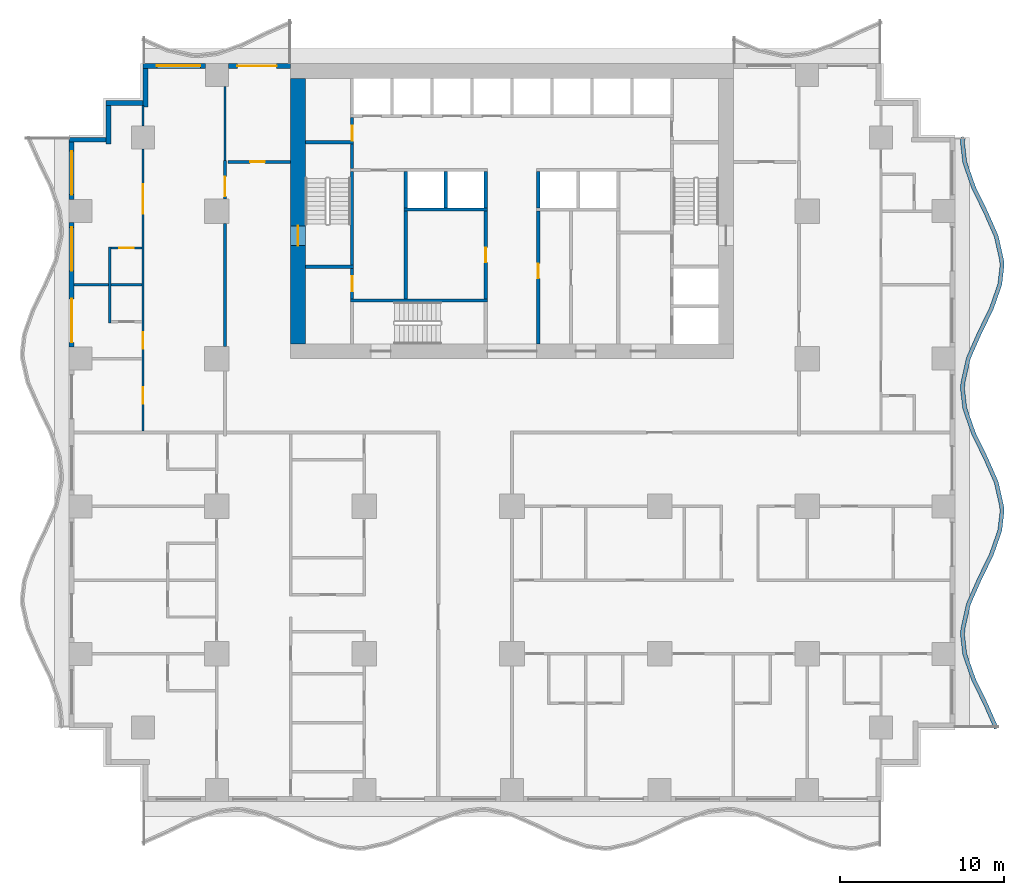
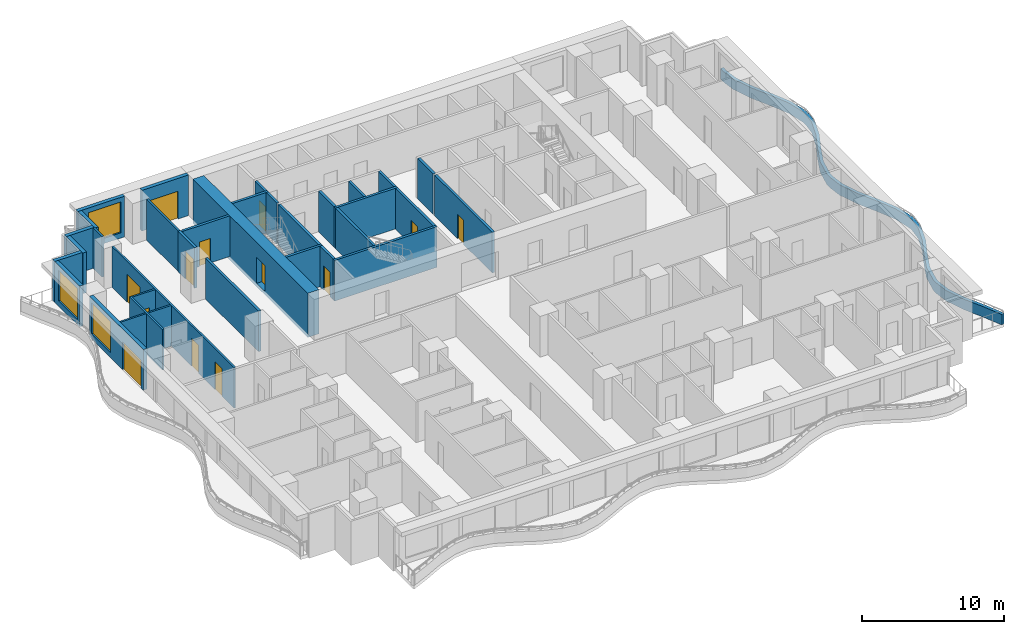
# One storey, part 5 of 14: 35 walls, 13 doors, 3 windows, 16 openings.
"""IFC4 building model written with IfcOpenShell, lengths in metres."""

import ifcopenshell
import ifcopenshell.guid

model = None  # the IFC model being written
_history = None  # IfcOwnerHistory: only IFC2X3 demands one
_inside = {}  # id of a spatial element -> (the spatial element, [elements in it])
_under = {}  # id of a project, library or spatial element -> (it, [spatial elements below it])
_declared = {}  # id of a project -> (the project, [libraries it declares])
_typed = {}  # id of a type object -> (the type object, [elements of that type])
_made_of = {}  # id of a material, layer set ... -> (it, [elements and type objects made of it])


def new_model(schema):
    """Start an empty IFC model of exactly this schema.

    Asked for "IFC4X3", IfcOpenShell would pick the latest addendum, in which some entities
    have other attributes; the version numbers below select the first issue.
    IFC2X3 requires an IfcOwnerHistory on every rooted entity: one is made here for all.
    """
    global model, _history
    if schema == "IFC4X3":
        model = ifcopenshell.file(schema_version=(4, 3, 0, 0))
    else:
        model = ifcopenshell.file(schema=schema)
    _inside.clear()
    _under.clear()
    _declared.clear()
    _typed.clear()
    _made_of.clear()
    _history = None
    if model.schema == "IFC2X3":
        org = make("IfcOrganization", Name="unknown")
        user = make(
            "IfcPersonAndOrganization",
            ThePerson=make("IfcPerson", FamilyName="unknown"),
            TheOrganization=org,
        )
        app = make(
            "IfcApplication",
            ApplicationDeveloper=org,
            Version="unknown",
            ApplicationFullName="unknown",
            ApplicationIdentifier="unknown",
        )
        _history = make(
            "IfcOwnerHistory",
            OwningUser=user,
            OwningApplication=app,
            ChangeAction="ADDED",
            CreationDate=0,
        )
    return model


def make(cls, **values):
    """One entity of the class cls with the attributes given. An attribute that is None is left unset."""
    return model.create_entity(
        cls, **{name: value for name, value in values.items() if value is not None}
    )


def rooted(cls, **values):
    """An entity with a GlobalId (a new one), such as an element, a storey or a relation."""
    return make(cls, GlobalId=ifcopenshell.guid.new(), OwnerHistory=_history, **values)


def si_unit(unit_type, name, prefix=None):
    """IfcSIUnit, for example si_unit("LENGTHUNIT", "METRE", prefix="MILLI")."""
    return make("IfcSIUnit", UnitType=unit_type, Prefix=prefix, Name=name)


def assignment(units):
    """IfcUnitAssignment: the units of a project."""
    return None if units is None else make("IfcUnitAssignment", Units=units)


def point(xyz):
    """IfcCartesianPoint."""
    return None if xyz is None else make("IfcCartesianPoint", Coordinates=xyz)


def direction(xyz):
    """IfcDirection."""
    return None if xyz is None else make("IfcDirection", DirectionRatios=xyz)


def frame(location, z_axis=None, x_axis=None):
    """IfcAxis2Placement3D, a coordinate frame: its origin and axes. An axis left out is left unset."""
    return make(
        "IfcAxis2Placement3D",
        Location=point(location),
        Axis=direction(z_axis),
        RefDirection=direction(x_axis),
    )


def frame_2d(location, x_axis=None):
    """IfcAxis2Placement2D, a coordinate frame in the plane: its origin and x axis."""
    return make(
        "IfcAxis2Placement2D", Location=point(location), RefDirection=direction(x_axis)
    )


def origin():
    """The frame at (0, 0, 0) with its axes left unset."""
    return frame((0.0, 0.0, 0.0))


def place(relative_to, where):
    """IfcLocalPlacement: puts the frame where relative to a parent placement (None: the world)."""
    return make(
        "IfcLocalPlacement", PlacementRelTo=relative_to, RelativePlacement=where
    )


def context(
    kind, dimensions, precision=None, world=None, true_north=None, identifier=None
):
    """IfcGeometricRepresentationContext, for example the 3D "Model" context."""
    return make(
        "IfcGeometricRepresentationContext",
        ContextIdentifier=identifier,
        ContextType=kind,
        CoordinateSpaceDimension=dimensions,
        Precision=precision,
        WorldCoordinateSystem=world,
        TrueNorth=true_north,
    )


def subcontext(parent, identifier, kind, view, scale=None):
    """IfcGeometricRepresentationSubContext, for example "Body" below "Model"."""
    return make(
        "IfcGeometricRepresentationSubContext",
        ContextIdentifier=identifier,
        ContextType=kind,
        ParentContext=parent,
        TargetScale=scale,
        TargetView=view,
    )


def project(units=None, contexts=None):
    """IfcProject with its units and contexts."""
    return rooted(
        "IfcProject",
        Name="project",
        RepresentationContexts=contexts,
        UnitsInContext=assignment(units),
    )


def spatial(cls, under=None, at=None, **own):
    """A site, building, storey or space (cls), placed at a placement, below another one or the project."""
    s = rooted(cls, ObjectPlacement=at, **own)
    if under is not None:
        _under.setdefault(under.id(), (under, []))[1].append(s)
    return s


def polyline(points):
    """IfcPolyline through the points."""
    return make("IfcPolyline", Points=[point(p) for p in points])


def profile(cls, at=None, kind="AREA", **sizes):
    """A parametric profile (cls). Its sizes go by their IFC names, for example OverallWidth=200.0."""
    return make(cls, ProfileType=kind, Position=at, **sizes)


def rectangle(**sizes):
    """IfcRectangleProfileDef."""
    return profile("IfcRectangleProfileDef", **sizes)


def outline(outer, holes=None, kind="AREA"):
    """IfcArbitraryClosedProfileDef: a profile drawn as a closed curve; with holes, ...WithVoids."""
    if holes is None:
        return make("IfcArbitraryClosedProfileDef", ProfileType=kind, OuterCurve=outer)
    return make(
        "IfcArbitraryProfileDefWithVoids",
        ProfileType=kind,
        OuterCurve=outer,
        InnerCurves=holes,
    )


def extrude(swept, where, along, depth):
    """IfcExtrudedAreaSolid: the profile swept, set in the frame where, extruded along a direction by depth."""
    return make(
        "IfcExtrudedAreaSolid",
        SweptArea=swept,
        Position=where,
        ExtrudedDirection=direction(along),
        Depth=depth,
    )


def shape(context_of_items, identifier, shape_type, items):
    """IfcShapeRepresentation: the items that make up one representation, for example the "Body"."""
    return make(
        "IfcShapeRepresentation",
        ContextOfItems=context_of_items,
        RepresentationIdentifier=identifier,
        RepresentationType=shape_type,
        Items=items,
    )


def material(Name=None, Category=None):
    """IfcMaterial."""
    return make("IfcMaterial", Name=Name, Category=Category)


def layer(
    of_material, thickness, ventilated=None, Name=None, Category=None, Priority=None
):
    """IfcMaterialLayer: one layer of a wall or slab, of a material (None: an air gap)."""
    return make(
        "IfcMaterialLayer",
        Material=of_material,
        LayerThickness=thickness,
        IsVentilated=ventilated,
        Name=Name,
        Category=Category,
        Priority=Priority,
    )


def layer_set(layers, Name=None):
    """IfcMaterialLayerSet."""
    return make("IfcMaterialLayerSet", MaterialLayers=layers, LayerSetName=Name)


def made_of(thing, what):
    """Note that an element or type object is made of a material, layer set ...; save() writes the relation."""
    if what is not None:
        _made_of.setdefault(what.id(), (what, []))[1].append(thing)
    return thing


def type_object(cls, material=None, **own):
    """A type object (cls), such as IfcWallType, which elements share."""
    return made_of(rooted(cls, **own), material)


def element(
    cls,
    number,
    at=None,
    inside=None,
    cuts=None,
    type_object=None,
    material=None,
    context=None,
    identifier="Body",
    shape_type=None,
    held_by="IfcProductDefinitionShape",
    body=None,
    shapes=None,
    **own,
):
    """One element of the class cls, such as IfcWall. Its Tag is "e" and its number.

    at: its placement. inside: the storey or other place that contains it. cuts: it is an
    opening in that element (IfcRelVoidsElement). A single representation is given by context,
    identifier, shape_type and body (its items); several are given by shapes. held_by: the class
    of the entity that holds the representations. save() writes the other relations.
    """
    e = rooted(cls, Tag="e%d" % number, ObjectPlacement=at, **own)
    if body is not None:
        shapes = [shape(context, identifier, shape_type, body)]
    if shapes is not None:
        e.Representation = make(held_by, Representations=shapes)
    if inside is not None:
        _inside.setdefault(inside.id(), (inside, []))[1].append(e)
    if cuts is not None:
        rooted(
            "IfcRelVoidsElement", RelatingBuildingElement=cuts, RelatedOpeningElement=e
        )
    if type_object is not None:
        _typed.setdefault(type_object.id(), (type_object, []))[1].append(e)
    return made_of(e, material)


def fill(opening, filler):
    """IfcRelFillsElement: the door or window that sits in an opening."""
    return rooted(
        "IfcRelFillsElement",
        RelatingOpeningElement=opening,
        RelatedBuildingElement=filler,
    )


def aggregate(whole, parts):
    """IfcRelAggregates: a whole, such as a stair, and the parts it consists of."""
    return rooted("IfcRelAggregates", RelatingObject=whole, RelatedObjects=parts)


def save(model, path):
    """Write the relations noted so far, then the file.

    IfcRelAggregates (storeys below a building ...), IfcRelContainedInSpatialStructure (elements
    in a storey), IfcRelDefinesByType, IfcRelAssociatesMaterial and IfcRelDeclares: one each for
    every whole, place, type object, material and project.
    """
    for whole, parts in _under.values():
        aggregate(whole, parts)
    for where, things in _inside.values():
        rooted(
            "IfcRelContainedInSpatialStructure",
            RelatedElements=things,
            RelatingStructure=where,
        )
    for kind, things in _typed.values():
        rooted("IfcRelDefinesByType", RelatedObjects=things, RelatingType=kind)
    for what, things in _made_of.values():
        rooted("IfcRelAssociatesMaterial", RelatedObjects=things, RelatingMaterial=what)
    for by, libraries in _declared.values():
        rooted("IfcRelDeclares", RelatingContext=by, RelatedDefinitions=libraries)
    model.write(path)


model = new_model("IFC4")

# Units and contexts
model_context = context("Model", 3, precision=1e-05, world=origin(), true_north=direction((0.0, 1.0)))
body_context = subcontext(model_context, "Body", "Model", "MODEL_VIEW")
ifc_project = project(units=[si_unit("LENGTHUNIT", "METRE"), si_unit("AREAUNIT", "SQUARE_METRE"), si_unit("VOLUMEUNIT", "CUBIC_METRE"), si_unit("PLANEANGLEUNIT", "RADIAN"), si_unit("MASSUNIT", "GRAM", prefix="KILO")], contexts=[model_context])

# Site, building, storey
site_placement = place(None, origin())
site = spatial("IfcSite", under=ifc_project, at=site_placement, CompositionType="ELEMENT")
building_placement = place(site_placement, origin())
building = spatial("IfcBuilding", under=site, at=building_placement, Name="Orbiselva Terraces", CompositionType="ELEMENT")
storey_placement = place(building_placement, frame((0.0, 0.0, 56.8)))
storey = spatial("IfcBuildingStorey", under=building, at=storey_placement, Name="L14", CompositionType="ELEMENT", Elevation=56.8)

# Wall, opening, door
ifc_material_1 = material(Name="Concrete C80/95", Category="concrete")
ifc_layer_1 = layer(ifc_material_1, 0.9)
ifc_layer_set_1 = layer_set([ifc_layer_1], Name="Concrete C80/95")
wall_type_1 = type_object("IfcWallType", Name="CORE WALL 900", PredefinedType="SHEAR", material=ifc_layer_set_1)
wall_1_placement = place(storey_placement, frame((-13.05, 21.6, -0.3), z_axis=(0.0, 0.0, 1.0), x_axis=(0.0, -1.0, 0.0)))
wall_1 = element("IfcWall", 1, at=wall_1_placement, inside=storey, type_object=wall_type_1, Name="Core wall L14 west", PredefinedType="SHEAR", context=body_context, shape_type="SweptSolid", body=[
    extrude(rectangle(XDim=16.2, YDim=0.9, at=frame_2d((8.1, 0.0))), origin(), (0.0, 0.0, 1.0), 3.8),
])
opening_1_placement = place(wall_1_placement, frame((9.0, 0.0, 0.3)))
opening_1 = element("IfcOpeningElement", 2, at=opening_1_placement, cuts=wall_1, Name="Opening DS1200", PredefinedType="OPENING", context=body_context, shape_type="SweptSolid", body=[
    extrude(rectangle(XDim=1.2, YDim=2.2, at=frame_2d((0.6, 1.1))), frame((0.0, 0.46, 0.0), z_axis=(0.0, -1.0, 0.0), x_axis=(1.0, 0.0, 0.0)), (0.0, 0.0, 1.0), 0.92),
])
ifc_material_2 = material(Name="Steel fire door", Category="steel")
door_type_1 = type_object("IfcDoorType", Name="STAIR DOOR 1200", OperationType="NOTDEFINED", PredefinedType="DOOR", material=ifc_material_2)
door_1_placement = place(opening_1_placement, frame((1.2, 0.0, 0.0), z_axis=(0.0, 0.0, 1.0), x_axis=(-1.0, 0.0, 0.0)))
door_1 = element("IfcDoor", 3, at=door_1_placement, inside=storey, type_object=door_type_1, Name="L14 EXIT STAIR S1 door", OperationType="SINGLE_SWING_RIGHT", OverallHeight=2.2, OverallWidth=1.2, PredefinedType="DOOR", context=body_context, shape_type="SweptSolid", body=[
    extrude(rectangle(XDim=1.2, YDim=2.2, at=frame_2d((0.6, 1.1))), frame((0.0, 0.025, 0.0), z_axis=(0.0, -1.0, 0.0), x_axis=(1.0, 0.0, 0.0)), (0.0, 0.0, 1.0), 0.05),
])
fill(opening_1, door_1)

ifc_material_3 = material(Name="Masonry blockwork", Category="masonry")
ifc_layer_2 = layer(ifc_material_3, 0.2)
ifc_layer_set_2 = layer_set([ifc_layer_2], Name="Masonry blockwork")
wall_type_2 = type_object("IfcWallType", Name="CORE-WALL-PARTITION-200", PredefinedType="PARTITIONING", material=ifc_layer_set_2)
wall_2_placement = place(storey_placement, frame((-9.75, 8.15, 0.0), z_axis=(0.0, 0.0, 1.0), x_axis=(0.0, 1.0, 0.0)))
wall_2 = element("IfcWall", 4, at=wall_2_placement, inside=storey, type_object=wall_type_2, Name="L14 core wall 05", PredefinedType="PARTITIONING", context=body_context, shape_type="SweptSolid", body=[
    extrude(rectangle(XDim=1.85, YDim=0.2, at=frame_2d((0.925, 0.0))), origin(), (0.0, 0.0, 1.0), 3.5),
])
opening_2_placement = place(wall_2_placement, frame((0.475, 0.0, 0.0)))
opening_2 = element("IfcOpeningElement", 5, at=opening_2_placement, cuts=wall_2, Name="Opening DR900", PredefinedType="OPENING", context=body_context, shape_type="SweptSolid", body=[
    extrude(rectangle(XDim=0.9, YDim=2.1, at=frame_2d((0.45, 1.05))), frame((0.0, 0.11, 0.0), z_axis=(0.0, -1.0, 0.0), x_axis=(1.0, 0.0, 0.0)), (0.0, 0.0, 1.0), 0.22),
])
door_type_2 = type_object("IfcDoorType", Name="ROOM DOOR 900", OperationType="NOTDEFINED", PredefinedType="DOOR", material=ifc_material_2)
door_2_placement = place(opening_2_placement, origin())
door_2 = element("IfcDoor", 6, at=door_2_placement, inside=storey, type_object=door_type_2, Name="L14 STAFF WC door", OperationType="SINGLE_SWING_RIGHT", OverallHeight=2.1, OverallWidth=0.9, PredefinedType="DOOR", context=body_context, shape_type="SweptSolid", body=[
    extrude(rectangle(XDim=0.9, YDim=2.1, at=frame_2d((0.45, 1.05))), frame((0.0, 0.025, 0.0), z_axis=(0.0, -1.0, 0.0), x_axis=(1.0, 0.0, 0.0)), (0.0, 0.0, 1.0), 0.05),
])
fill(opening_2, door_2)

wall_3_placement = place(storey_placement, frame((-9.75, 17.8, 0.0), z_axis=(0.0, 0.0, 1.0), x_axis=(0.0, 1.0, 0.0)))
wall_3 = element("IfcWall", 7, at=wall_3_placement, inside=storey, type_object=wall_type_2, Name="L14 core wall 09", PredefinedType="PARTITIONING", context=body_context, shape_type="SweptSolid", body=[
    extrude(rectangle(XDim=1.4, YDim=0.2, at=frame_2d((0.7, 0.0))), origin(), (0.0, 0.0, 1.0), 3.5),
])
opening_3_placement = place(wall_3_placement, origin())
opening_3 = element("IfcOpeningElement", 8, at=opening_3_placement, cuts=wall_3, Name="Opening DR900", PredefinedType="OPENING", context=body_context, shape_type="SweptSolid", body=[
    extrude(rectangle(XDim=0.9, YDim=2.1, at=frame_2d((0.45, 1.05))), frame((0.0, 0.11, 0.0), z_axis=(0.0, -1.0, 0.0), x_axis=(1.0, 0.0, 0.0)), (0.0, 0.0, 1.0), 0.22),
])
door_3_placement = place(opening_3_placement, origin())
door_3 = element("IfcDoor", 9, at=door_3_placement, inside=storey, type_object=door_type_2, Name="L14 ELECTRICAL RISER ROOM door", OperationType="SINGLE_SWING_LEFT", OverallHeight=2.1, OverallWidth=0.9, PredefinedType="DOOR", context=body_context, shape_type="SweptSolid", body=[
    extrude(rectangle(XDim=0.9, YDim=2.1, at=frame_2d((0.45, 1.05))), frame((0.0, 0.025, 0.0), z_axis=(0.0, -1.0, 0.0), x_axis=(1.0, 0.0, 0.0)), (0.0, 0.0, 1.0), 0.05),
])
fill(opening_3, door_3)

# Walls
wall_4_placement = place(storey_placement, frame((-6.475, 8.15, 0.0), z_axis=(0.0, 0.0, 1.0), x_axis=(0.0, 1.0, 0.0)))
element("IfcWall", 10, at=wall_4_placement, inside=storey, type_object=wall_type_2, Name="L14 core wall 13", PredefinedType="PARTITIONING", context=body_context, shape_type="SweptSolid", body=[
    extrude(rectangle(XDim=5.35, YDim=0.2, at=frame_2d((2.675, 0.0))), origin(), (0.0, 0.0, 1.0), 3.5),
])
ifc_material_4 = material(Name="Concrete C40/50", Category="concrete")
ifc_layer_3 = layer(ifc_material_4, 0.2)
ifc_layer_set_3 = layer_set([ifc_layer_3], Name="Concrete C40/50")
wall_type_3 = type_object("IfcWallType", Name="CORE-WALL-SHAFT-200", PredefinedType="PARTITIONING", material=ifc_layer_set_3)
for number, where, z_axis, x_axis, name in (
    (11, (-6.475, 13.7, 0.0), (0.0, 0.0, 1.0), (0.0, 1.0, 0.0), "L14 core wall 15"),
    (12, (-4.0375, 13.7, 0.0), (0.0, 0.0, 1.0), (0.0, 1.0, 0.0), "L14 core wall 17"),
    (13, (-1.6, 13.7, 0.0), (0.0, 0.0, 1.0), (0.0, 1.0, 0.0), "L14 core wall 21"),
    (14, (1.6, 13.7, 0.0), (0.0, 0.0, 1.0), (0.0, 1.0, 0.0), "L14 core wall 25"),
):
    element("IfcWall", number, at=place(storey_placement, frame(where, z_axis=z_axis, x_axis=x_axis)), inside=storey, type_object=wall_type_3, Name=name, PredefinedType="PARTITIONING", context=body_context, shape_type="SweptSolid", body=[
        extrude(rectangle(XDim=2.2, YDim=0.2, at=frame_2d((1.1, 0.0))), origin(), (0.0, 0.0, 1.0), 3.5),
    ])
ifc_material_5 = material(Name="Concrete C60/75", Category="concrete")
ifc_layer_4 = layer(ifc_material_5, 0.2)
ifc_layer_set_4 = layer_set([ifc_layer_4], Name="Concrete C60/75")
wall_type_4 = type_object("IfcWallType", Name="CORE-WALL-SHEAR-200", PredefinedType="SHEAR", material=ifc_layer_set_4)
for number, where, z_axis, x_axis, name in (
    (15, (-12.6, 10.1, 0.0), (0.0, 0.0, 1.0), (1.0, 0.0, 0.0), "L14 core wall 01"),
    (16, (-12.6, 17.7, 0.0), (0.0, 0.0, 1.0), (1.0, 0.0, 0.0), "L14 core wall 02"),
):
    element("IfcWall", number, at=place(storey_placement, frame(where, z_axis=z_axis, x_axis=x_axis)), inside=storey, type_object=wall_type_4, Name=name, PredefinedType="SHEAR", context=body_context, shape_type="SweptSolid", body=[
        extrude(rectangle(XDim=2.95, YDim=0.2, at=frame_2d((1.475, 0.0))), origin(), (0.0, 0.0, 1.0), 3.5),
    ])
wall_5_placement = place(storey_placement, frame((-9.85, 8.05, 0.0), z_axis=(0.0, 0.0, 1.0), x_axis=(1.0, 0.0, 0.0)))
element("IfcWall", 17, at=wall_5_placement, inside=storey, type_object=wall_type_4, Name="L14 core wall 04", PredefinedType="SHEAR", context=body_context, shape_type="SweptSolid", body=[
    extrude(rectangle(XDim=8.35, YDim=0.2, at=frame_2d((4.175, 0.0))), origin(), (0.0, 0.0, 1.0), 3.5),
])
wall_6_placement = place(storey_placement, frame((-9.75, 10.2, 0.0), z_axis=(0.0, 0.0, 1.0), x_axis=(0.0, 1.0, 0.0)))
element("IfcWall", 18, at=wall_6_placement, inside=storey, type_object=wall_type_4, Name="L14 core wall 06", PredefinedType="SHEAR", context=body_context, shape_type="SweptSolid", body=[
    extrude(rectangle(XDim=5.7, YDim=0.2, at=frame_2d((2.85, 0.0))), origin(), (0.0, 0.0, 1.0), 3.5),
])
wall_7_placement = place(storey_placement, frame((-9.75, 16.1, 0.0), z_axis=(0.0, 0.0, 1.0), x_axis=(0.0, 1.0, 0.0)))
element("IfcWall", 19, at=wall_7_placement, inside=storey, type_object=wall_type_4, Name="L14 core wall 08", PredefinedType="SHEAR", context=body_context, shape_type="SweptSolid", body=[
    extrude(rectangle(XDim=1.5, YDim=0.2, at=frame_2d((0.75, 0.0))), origin(), (0.0, 0.0, 1.0), 3.5),
])
wall_8_placement = place(storey_placement, frame((-6.575, 13.6, 0.0), z_axis=(0.0, 0.0, 1.0), x_axis=(1.0, 0.0, 0.0)))
element("IfcWall", 20, at=wall_8_placement, inside=storey, type_object=wall_type_4, Name="L14 core wall 14", PredefinedType="SHEAR", context=body_context, shape_type="SweptSolid", body=[
    extrude(rectangle(XDim=5.075, YDim=0.2, at=frame_2d((2.5375, 0.0))), origin(), (0.0, 0.0, 1.0), 3.5),
])

# Wall, opening, door
wall_9_placement = place(storey_placement, frame((-1.6, 8.15, 0.0), z_axis=(0.0, 0.0, 1.0), x_axis=(0.0, 1.0, 0.0)))
wall_9 = element("IfcWall", 21, at=wall_9_placement, inside=storey, type_object=wall_type_4, Name="L14 core wall 20", PredefinedType="SHEAR", context=body_context, shape_type="SweptSolid", body=[
    extrude(rectangle(XDim=5.35, YDim=0.2, at=frame_2d((2.675, 0.0))), origin(), (0.0, 0.0, 1.0), 3.5),
])
opening_4_placement = place(wall_9_placement, frame((2.225, 0.0, 0.0)))
opening_4 = element("IfcOpeningElement", 22, at=opening_4_placement, cuts=wall_9, Name="Opening DR900", PredefinedType="OPENING", context=body_context, shape_type="SweptSolid", body=[
    extrude(rectangle(XDim=0.9, YDim=2.1, at=frame_2d((0.45, 1.05))), frame((0.0, 0.11, 0.0), z_axis=(0.0, -1.0, 0.0), x_axis=(1.0, 0.0, 0.0)), (0.0, 0.0, 1.0), 0.22),
])
door_4_placement = place(opening_4_placement, origin())
door_4 = element("IfcDoor", 23, at=door_4_placement, inside=storey, type_object=door_type_2, Name="L14 HOUSEKEEPING STORE door", OperationType="SINGLE_SWING_RIGHT", OverallHeight=2.1, OverallWidth=0.9, PredefinedType="DOOR", context=body_context, shape_type="SweptSolid", body=[
    extrude(rectangle(XDim=0.9, YDim=2.1, at=frame_2d((0.45, 1.05))), frame((0.0, 0.025, 0.0), z_axis=(0.0, -1.0, 0.0), x_axis=(1.0, 0.0, 0.0)), (0.0, 0.0, 1.0), 0.05),
])
fill(opening_4, door_4)

wall_10_placement = place(storey_placement, frame((1.6, 13.5, 0.0), z_axis=(0.0, 0.0, 1.0), x_axis=(0.0, -1.0, 0.0)))
wall_10 = element("IfcWall", 24, at=wall_10_placement, inside=storey, type_object=wall_type_4, Name="L14 core wall 23", PredefinedType="SHEAR", context=body_context, shape_type="SweptSolid", body=[
    extrude(rectangle(XDim=8.1, YDim=0.2, at=frame_2d((4.05, 0.0))), origin(), (0.0, 0.0, 1.0), 3.5),
])
opening_5_placement = place(wall_10_placement, frame((3.2, 0.0, 0.0)))
opening_5 = element("IfcOpeningElement", 25, at=opening_5_placement, cuts=wall_10, Name="Opening DR900", PredefinedType="OPENING", context=body_context, shape_type="SweptSolid", body=[
    extrude(rectangle(XDim=0.9, YDim=2.1, at=frame_2d((0.45, 1.05))), frame((0.0, 0.11, 0.0), z_axis=(0.0, -1.0, 0.0), x_axis=(1.0, 0.0, 0.0)), (0.0, 0.0, 1.0), 0.22),
])
door_5_placement = place(opening_5_placement, origin())
door_5 = element("IfcDoor", 26, at=door_5_placement, inside=storey, type_object=door_type_2, Name="L14 COMMS ROOM door", OperationType="SINGLE_SWING_LEFT", OverallHeight=2.1, OverallWidth=0.9, PredefinedType="DOOR", context=body_context, shape_type="SweptSolid", body=[
    extrude(rectangle(XDim=0.9, YDim=2.1, at=frame_2d((0.45, 1.05))), frame((0.0, 0.025, 0.0), z_axis=(0.0, -1.0, 0.0), x_axis=(1.0, 0.0, 0.0)), (0.0, 0.0, 1.0), 0.05),
])
fill(opening_5, door_5)

# Wall
ifc_layer_5 = layer(ifc_material_4, 0.25)
ifc_layer_set_5 = layer_set([ifc_layer_5], Name="Concrete C40/50")
wall_type_5 = type_object("IfcWallType", Name="ENV-PLANTER-250x900", PredefinedType="USERDEFINED", material=ifc_layer_set_5)
wall_11_placement = place(storey_placement, origin())
element("IfcWall", 27, at=wall_11_placement, inside=storey, type_object=wall_type_5, Name="Balcony planter L14 E", ObjectType="PLANTER", PredefinedType="USERDEFINED", context=body_context, shape_type="SweptSolid", body=[
    extrude(outline(polyline([(29.648528, -18.0), (28.987721, -16.5), (28.255211, -15.0), (27.730792, -13.5), (27.6, -12.375), (27.614774, -12.0), (27.951472, -10.5), (28.612279, -9.0), (29.344789, -7.5), (29.869208, -6.0), (30.0, -4.875), (29.985226, -4.5), (29.648528, -3.0), (28.987721, -1.5), (28.255211, 0.0), (27.730792, 1.5), (27.6, 2.625), (27.614774, 3.0), (27.951472, 4.5), (28.612279, 6.0), (29.344789, 7.5), (29.869208, 9.0), (30.0, 10.125), (29.985226, 10.5), (29.648528, 12.0), (28.987721, 13.5), (28.255211, 15.0), (27.730792, 16.5), (27.6, 17.625), (27.614774, 18.0), (27.364968, 18.009842), (27.349429, 17.615428), (27.485662, 16.443629), (28.024089, 14.90356), (28.760919, 13.394714), (29.40993, 11.921492), (29.736315, 10.467435), (29.749429, 10.134572), (29.624078, 9.056371), (29.113667, 7.59644), (28.385477, 6.105286), (27.712874, 4.578508), (27.365863, 3.032565), (27.349429, 2.615428), (27.485662, 1.443629), (28.024089, -0.09644), (28.760919, -1.605286), (29.40993, -3.078508), (29.736315, -4.532565), (29.749429, -4.865428), (29.624078, -5.943629), (29.113667, -7.40356), (28.385477, -8.894714), (27.712874, -10.421492), (27.365863, -11.967435), (27.349429, -12.384572), (27.485662, -13.556371), (28.024089, -15.09644), (28.760919, -16.605286), (29.419745, -18.100788), (29.648528, -18.0)])), origin(), (0.0, 0.0, 1.0), 0.9),
])

# Wall, opening, door
ifc_material_6 = material(Name="Terracotta cladding on masonry backing", Category="masonry")
ifc_layer_6 = layer(ifc_material_6, 0.3)
ifc_layer_set_6 = layer_set([ifc_layer_6], Name="Terracotta cladding on masonry backing")
wall_type_6 = type_object("IfcWallType", Name="ENV-WALL-TERRACOTTA-300", PredefinedType="SOLIDWALL", material=ifc_layer_set_6)
wall_12_placement = place(storey_placement, frame((-17.3, 22.35, 0.0), z_axis=(0.0, 0.0, 1.0), x_axis=(1.0, 0.0, 0.0)))
wall_12 = element("IfcWall", 28, at=wall_12_placement, inside=storey, type_object=wall_type_6, Name="Facade wall L14 NW", PredefinedType="SOLIDWALL", context=body_context, shape_type="SweptSolid", body=[
    extrude(rectangle(XDim=3.8, YDim=0.3, at=frame_2d((1.9, 0.0))), origin(), (0.0, 0.0, 1.0), 3.5),
])
opening_6_placement = place(wall_12_placement, frame((0.55, 0.0, 0.0)))
opening_6 = element("IfcOpeningElement", 29, at=opening_6_placement, cuts=wall_12, Name="Opening Z1-E-E09", PredefinedType="OPENING", context=body_context, shape_type="SweptSolid", body=[
    extrude(rectangle(XDim=2.4, YDim=2.4, at=frame_2d((1.2, 1.2))), frame((0.0, 0.16, 0.0), z_axis=(0.0, -1.0, 0.0), x_axis=(1.0, 0.0, 0.0)), (0.0, 0.0, 1.0), 0.32),
])
ifc_material_7 = material(Name="Clear low-e glazing in aluminium frame", Category="aluminium")
door_type_3 = type_object("IfcDoorType", Name="BALCONY DOOR 2400 X 2400", OperationType="DOUBLE_DOOR_SLIDING", PredefinedType="DOOR", material=ifc_material_7)
door_6_placement = place(opening_6_placement, origin())
door_6 = element("IfcDoor", 30, at=door_6_placement, inside=storey, type_object=door_type_3, Name="Z1-E-E09", OperationType="SINGLE_SWING_LEFT", OverallHeight=2.4, OverallWidth=2.4, PredefinedType="DOOR", context=body_context, shape_type="SweptSolid", body=[
    extrude(rectangle(XDim=2.4, YDim=2.4, at=frame_2d((1.2, 1.2))), frame((0.0, 0.025, 0.0), z_axis=(0.0, -1.0, 0.0), x_axis=(1.0, 0.0, 0.0)), (0.0, 0.0, 1.0), 0.05),
])
fill(opening_6, door_6)

# Wall, opening, window
wall_13_placement = place(storey_placement, frame((-22.5, 22.35, 0.0), z_axis=(0.0, 0.0, 1.0), x_axis=(1.0, 0.0, 0.0)))
wall_13 = element("IfcWall", 31, at=wall_13_placement, inside=storey, type_object=wall_type_6, Name="Facade wall L14 NW", PredefinedType="SOLIDWALL", context=body_context, shape_type="SweptSolid", body=[
    extrude(rectangle(XDim=3.8, YDim=0.3, at=frame_2d((1.9, 0.0))), origin(), (0.0, 0.0, 1.0), 3.5),
])
opening_7_placement = place(wall_13_placement, frame((0.85, 0.0, 0.45)))
opening_7 = element("IfcOpeningElement", 32, at=opening_7_placement, cuts=wall_13, Name="Opening WN3", PredefinedType="OPENING", context=body_context, shape_type="SweptSolid", body=[
    extrude(rectangle(XDim=2.65, YDim=2.65, at=frame_2d((1.325, 1.325))), frame((0.0, 0.16, 0.0), z_axis=(0.0, -1.0, 0.0), x_axis=(1.0, 0.0, 0.0)), (0.0, 0.0, 1.0), 0.32),
])
window_type = type_object("IfcWindowType", Name="WINDOW 2650 X 2650 S450", PartitioningType="TRIPLE_PANEL_VERTICAL", PredefinedType="WINDOW", material=ifc_material_7)
window_1_placement = place(opening_7_placement, origin())
window_1 = element("IfcWindow", 33, at=window_1_placement, inside=storey, type_object=window_type, Name="Window L14 NW", OverallHeight=2.65, OverallWidth=2.65, PartitioningType="SINGLE_PANEL", PredefinedType="WINDOW", context=body_context, shape_type="SweptSolid", body=[
    extrude(rectangle(XDim=2.65, YDim=2.65, at=frame_2d((1.325, 1.325))), frame((0.0, 0.03, 0.0), z_axis=(0.0, -1.0, 0.0), x_axis=(1.0, 0.0, 0.0)), (0.0, 0.0, 1.0), 0.06),
])
fill(opening_7, window_1)

# Walls
wall_14_placement = place(storey_placement, frame((-22.35, 19.85, 0.0), z_axis=(0.0, 0.0, 1.0), x_axis=(0.0, 1.0, 0.0)))
element("IfcWall", 34, at=wall_14_placement, inside=storey, type_object=wall_type_6, Name="Facade wall L14 STEP", PredefinedType="SOLIDWALL", context=body_context, shape_type="SweptSolid", body=[
    extrude(rectangle(XDim=2.35, YDim=0.3, at=frame_2d((1.175, 0.0))), origin(), (0.0, 0.0, 1.0), 3.5),
])
wall_15_placement = place(storey_placement, frame((-24.75, 20.1, 0.0), z_axis=(0.0, 0.0, 1.0), x_axis=(1.0, 0.0, 0.0)))
element("IfcWall", 35, at=wall_15_placement, inside=storey, type_object=wall_type_6, Name="Facade wall L14 STEP", PredefinedType="SOLIDWALL", context=body_context, shape_type="SweptSolid", body=[
    extrude(rectangle(XDim=2.25, YDim=0.3, at=frame_2d((1.125, 0.0))), origin(), (0.0, 0.0, 1.0), 3.5),
])
wall_16_placement = place(storey_placement, frame((-24.6, 17.6, 0.0), z_axis=(0.0, 0.0, 1.0), x_axis=(0.0, 1.0, 0.0)))
element("IfcWall", 36, at=wall_16_placement, inside=storey, type_object=wall_type_6, Name="Facade wall L14 STEP", PredefinedType="SOLIDWALL", context=body_context, shape_type="SweptSolid", body=[
    extrude(rectangle(XDim=2.35, YDim=0.3, at=frame_2d((1.175, 0.0))), origin(), (0.0, 0.0, 1.0), 3.5),
])
wall_17_placement = place(storey_placement, frame((-27.0, 17.85, 0.0), z_axis=(0.0, 0.0, 1.0), x_axis=(1.0, 0.0, 0.0)))
element("IfcWall", 37, at=wall_17_placement, inside=storey, type_object=wall_type_6, Name="Facade wall L14 STEP", PredefinedType="SOLIDWALL", context=body_context, shape_type="SweptSolid", body=[
    extrude(rectangle(XDim=2.25, YDim=0.3, at=frame_2d((1.125, 0.0))), origin(), (0.0, 0.0, 1.0), 3.5),
])

# Wall, opening, window
wall_18_placement = place(storey_placement, frame((-26.85, 14.2, 0.0), z_axis=(0.0, 0.0, 1.0), x_axis=(0.0, 1.0, 0.0)))
wall_18 = element("IfcWall", 38, at=wall_18_placement, inside=storey, type_object=wall_type_6, Name="Facade wall L14 W", PredefinedType="SOLIDWALL", context=body_context, shape_type="SweptSolid", body=[
    extrude(rectangle(XDim=3.5, YDim=0.3, at=frame_2d((1.75, 0.0))), origin(), (0.0, 0.0, 1.0), 3.5),
])
opening_8_placement = place(wall_18_placement, frame((0.3, 0.0, 0.45)))
opening_8 = element("IfcOpeningElement", 39, at=opening_8_placement, cuts=wall_18, Name="Opening WN3", PredefinedType="OPENING", context=body_context, shape_type="SweptSolid", body=[
    extrude(rectangle(XDim=2.65, YDim=2.65, at=frame_2d((1.325, 1.325))), frame((0.0, 0.16, 0.0), z_axis=(0.0, -1.0, 0.0), x_axis=(1.0, 0.0, 0.0)), (0.0, 0.0, 1.0), 0.32),
])
window_2_placement = place(opening_8_placement, origin())
window_2 = element("IfcWindow", 40, at=window_2_placement, inside=storey, type_object=window_type, Name="Window L14 W", OverallHeight=2.65, OverallWidth=2.65, PartitioningType="SINGLE_PANEL", PredefinedType="WINDOW", context=body_context, shape_type="SweptSolid", body=[
    extrude(rectangle(XDim=2.65, YDim=2.65, at=frame_2d((1.325, 1.325))), frame((0.0, 0.03, 0.0), z_axis=(0.0, -1.0, 0.0), x_axis=(1.0, 0.0, 0.0)), (0.0, 0.0, 1.0), 0.06),
])
fill(opening_8, window_2)

# Wall, openings, door, window
wall_19_placement = place(storey_placement, frame((-26.85, 5.2, 0.0), z_axis=(0.0, 0.0, 1.0), x_axis=(0.0, 1.0, 0.0)))
wall_19 = element("IfcWall", 41, at=wall_19_placement, inside=storey, type_object=wall_type_6, Name="Facade wall L14 W", PredefinedType="SOLIDWALL", context=body_context, shape_type="SweptSolid", body=[
    extrude(rectangle(XDim=7.6, YDim=0.3, at=frame_2d((3.8, 0.0))), origin(), (0.0, 0.0, 1.0), 3.5),
])
opening_9_placement = place(wall_19_placement, frame((4.65, 0.0, 0.45)))
opening_9 = element("IfcOpeningElement", 42, at=opening_9_placement, cuts=wall_19, Name="Opening WN3", PredefinedType="OPENING", context=body_context, shape_type="SweptSolid", body=[
    extrude(rectangle(XDim=2.65, YDim=2.65, at=frame_2d((1.325, 1.325))), frame((0.0, 0.16, 0.0), z_axis=(0.0, -1.0, 0.0), x_axis=(1.0, 0.0, 0.0)), (0.0, 0.0, 1.0), 0.32),
])
opening_10_placement = place(wall_19_placement, frame((0.3, 0.0, 0.0)))
opening_10 = element("IfcOpeningElement", 43, at=opening_10_placement, cuts=wall_19, Name="Opening Z1-E-E10", PredefinedType="OPENING", context=body_context, shape_type="SweptSolid", body=[
    extrude(rectangle(XDim=2.65, YDim=2.4, at=frame_2d((1.325, 1.2))), frame((0.0, 0.16, 0.0), z_axis=(0.0, -1.0, 0.0), x_axis=(1.0, 0.0, 0.0)), (0.0, 0.0, 1.0), 0.32),
])
door_type_4 = type_object("IfcDoorType", Name="BALCONY DOOR 2650 X 2400", OperationType="DOUBLE_DOOR_SLIDING", PredefinedType="DOOR", material=ifc_material_7)
door_7_placement = place(opening_10_placement, origin())
door_7 = element("IfcDoor", 44, at=door_7_placement, inside=storey, type_object=door_type_4, Name="Z1-E-E10", OperationType="SINGLE_SWING_LEFT", OverallHeight=2.4, OverallWidth=2.65, PredefinedType="DOOR", context=body_context, shape_type="SweptSolid", body=[
    extrude(rectangle(XDim=2.65, YDim=2.4, at=frame_2d((1.325, 1.2))), frame((0.0, 0.025, 0.0), z_axis=(0.0, -1.0, 0.0), x_axis=(1.0, 0.0, 0.0)), (0.0, 0.0, 1.0), 0.05),
])
fill(opening_10, door_7)
window_3_placement = place(opening_9_placement, origin())
window_3 = element("IfcWindow", 45, at=window_3_placement, inside=storey, type_object=window_type, Name="Window L14 W", OverallHeight=2.65, OverallWidth=2.65, PartitioningType="SINGLE_PANEL", PredefinedType="WINDOW", context=body_context, shape_type="SweptSolid", body=[
    extrude(rectangle(XDim=2.65, YDim=2.65, at=frame_2d((1.325, 1.325))), frame((0.0, 0.03, 0.0), z_axis=(0.0, -1.0, 0.0), x_axis=(1.0, 0.0, 0.0)), (0.0, 0.0, 1.0), 0.06),
])
fill(opening_9, window_3)

# Wall, opening, door
ifc_material_8 = material(Name="Plasterboard on steel stud partition", Category="steel")
ifc_layer_7 = layer(ifc_material_8, 0.2)
ifc_layer_set_7 = layer_set([ifc_layer_7], Name="Plasterboard on steel stud partition")
wall_type_7 = type_object("IfcWallType", Name="UNIT-ENTRANCE-WALL-200", PredefinedType="PARTITIONING", material=ifc_layer_set_7)
wall_20_placement = place(storey_placement, frame((-17.325, 16.5, 0.0), z_axis=(0.0, 0.0, 1.0), x_axis=(1.0, 0.0, 0.0)))
wall_20 = element("IfcWall", 46, at=wall_20_placement, inside=storey, type_object=wall_type_7, Name="PARTITION L14-042", PredefinedType="PARTITIONING", context=body_context, shape_type="SweptSolid", body=[
    extrude(rectangle(XDim=3.825, YDim=0.2, at=frame_2d((1.9125, 0.0))), origin(), (0.0, 0.0, 1.0), 3.5),
])
opening_11_placement = place(wall_20_placement, frame((1.35, 0.0, 0.0)))
opening_11 = element("IfcOpeningElement", 47, at=opening_11_placement, cuts=wall_20, Name="Opening Z1-E-01", PredefinedType="OPENING", context=body_context, shape_type="SweptSolid", body=[
    extrude(rectangle(XDim=0.9, YDim=2.1, at=frame_2d((0.45, 1.05))), frame((0.0, 0.11, 0.0), z_axis=(0.0, -1.0, 0.0), x_axis=(1.0, 0.0, 0.0)), (0.0, 0.0, 1.0), 0.22),
])
ifc_material_9 = material(Name="Painted timber door leaf", Category="wood")
door_type_5 = type_object("IfcDoorType", Name="SERVICE DOOR 900", OperationType="NOTDEFINED", PredefinedType="DOOR", material=ifc_material_9)
door_8_placement = place(opening_11_placement, origin())
door_8 = element("IfcDoor", 48, at=door_8_placement, inside=storey, type_object=door_type_5, Name="Z1-E-01", OperationType="SINGLE_SWING_LEFT", OverallHeight=2.1, OverallWidth=0.9, PredefinedType="DOOR", context=body_context, shape_type="SweptSolid", body=[
    extrude(rectangle(XDim=0.9, YDim=2.1, at=frame_2d((0.45, 1.05))), frame((0.0, 0.025, 0.0), z_axis=(0.0, -1.0, 0.0), x_axis=(1.0, 0.0, 0.0)), (0.0, 0.0, 1.0), 0.05),
])
fill(opening_11, door_8)

# Wall
wall_21_placement = place(storey_placement, frame((-17.5, 5.25, 0.0), z_axis=(0.0, 0.0, 1.0), x_axis=(0.0, 1.0, 0.0)))
element("IfcWall", 49, at=wall_21_placement, inside=storey, type_object=wall_type_7, Name="PARTITION L14-054", PredefinedType="PARTITIONING", context=body_context, shape_type="SweptSolid", body=[
    extrude(rectangle(XDim=7.5, YDim=0.2, at=frame_2d((3.75, 0.0))), origin(), (0.0, 0.0, 1.0), 3.5),
])

# Wall, opening, door
wall_22_placement = place(storey_placement, frame((-17.5, 14.25, 0.0), z_axis=(0.0, 0.0, 1.0), x_axis=(0.0, 1.0, 0.0)))
wall_22 = element("IfcWall", 50, at=wall_22_placement, inside=storey, type_object=wall_type_7, Name="PARTITION L14-055", PredefinedType="PARTITIONING", context=body_context, shape_type="SweptSolid", body=[
    extrude(rectangle(XDim=2.35, YDim=0.2, at=frame_2d((1.175, 0.0))), origin(), (0.0, 0.0, 1.0), 3.5),
])
opening_12_placement = place(wall_22_placement, frame((0.15, 0.0, 0.0)))
opening_12 = element("IfcOpeningElement", 51, at=opening_12_placement, cuts=wall_22, Name="Opening Z1-E-03", PredefinedType="OPENING", context=body_context, shape_type="SweptSolid", body=[
    extrude(rectangle(XDim=1.2, YDim=2.4, at=frame_2d((0.6, 1.2))), frame((0.0, 0.11, 0.0), z_axis=(0.0, -1.0, 0.0), x_axis=(1.0, 0.0, 0.0)), (0.0, 0.0, 1.0), 0.22),
])
door_type_6 = type_object("IfcDoorType", Name="ENTRANCE DOOR 1200", OperationType="NOTDEFINED", PredefinedType="DOOR", material=ifc_material_9)
door_9_placement = place(opening_12_placement, origin())
door_9 = element("IfcDoor", 52, at=door_9_placement, inside=storey, type_object=door_type_6, Name="Z1-E-03", OperationType="SINGLE_SWING_LEFT", OverallHeight=2.4, OverallWidth=1.2, PredefinedType="DOOR", context=body_context, shape_type="SweptSolid", body=[
    extrude(rectangle(XDim=1.2, YDim=2.4, at=frame_2d((0.6, 1.2))), frame((0.0, 0.025, 0.0), z_axis=(0.0, -1.0, 0.0), x_axis=(1.0, 0.0, 0.0)), (0.0, 0.0, 1.0), 0.05),
])
fill(opening_12, door_9)

# Walls
ifc_layer_8 = layer(ifc_material_8, 0.15)
ifc_layer_set_8 = layer_set([ifc_layer_8], Name="Plasterboard on steel stud partition")
wall_type_8 = type_object("IfcWallType", Name="UNIT-PARTITION-150", PredefinedType="PARTITIONING", material=ifc_layer_set_8)
wall_23_placement = place(storey_placement, frame((-26.7, 9.0, 0.0), z_axis=(0.0, 0.0, 1.0), x_axis=(1.0, 0.0, 0.0)))
element("IfcWall", 53, at=wall_23_placement, inside=storey, type_object=wall_type_8, Name="PARTITION L14-036", PredefinedType="PARTITIONING", context=body_context, shape_type="SweptSolid", body=[
    extrude(rectangle(XDim=2.1, YDim=0.15, at=frame_2d((1.05, 0.0))), origin(), (0.0, 0.0, 1.0), 3.5),
])
wall_24_placement = place(storey_placement, frame((-24.45, 9.0, 0.0), z_axis=(0.0, 0.0, 1.0), x_axis=(1.0, 0.0, 0.0)))
element("IfcWall", 54, at=wall_24_placement, inside=storey, type_object=wall_type_8, Name="PARTITION L14-037", PredefinedType="PARTITIONING", context=body_context, shape_type="SweptSolid", body=[
    extrude(rectangle(XDim=1.875, YDim=0.15, at=frame_2d((0.9375, 0.0))), origin(), (0.0, 0.0, 1.0), 3.5),
])

# Wall, opening, door
wall_25_placement = place(storey_placement, frame((-22.575, 11.25, 0.0), z_axis=(0.0, 0.0, 1.0), x_axis=(-1.0, 0.0, 0.0)))
wall_25 = element("IfcWall", 55, at=wall_25_placement, inside=storey, type_object=wall_type_8, Name="PARTITION L14-039", PredefinedType="PARTITIONING", context=body_context, shape_type="SweptSolid", body=[
    extrude(rectangle(XDim=1.875, YDim=0.15, at=frame_2d((0.9375, 0.0))), origin(), (0.0, 0.0, 1.0), 3.5),
])
opening_13_placement = place(wall_25_placement, frame((0.475, 0.0, 0.0)))
opening_13 = element("IfcOpeningElement", 56, at=opening_13_placement, cuts=wall_25, Name="Opening Z1-E-08", PredefinedType="OPENING", context=body_context, shape_type="SweptSolid", body=[
    extrude(rectangle(XDim=0.9, YDim=2.1, at=frame_2d((0.45, 1.05))), frame((0.0, 0.085, 0.0), z_axis=(0.0, -1.0, 0.0), x_axis=(1.0, 0.0, 0.0)), (0.0, 0.0, 1.0), 0.17),
])
door_type_7 = type_object("IfcDoorType", Name="BATH DOOR 900", OperationType="NOTDEFINED", PredefinedType="DOOR", material=ifc_material_9)
door_10_placement = place(opening_13_placement, origin())
door_10 = element("IfcDoor", 57, at=door_10_placement, inside=storey, type_object=door_type_7, Name="Z1-E-08", OperationType="SINGLE_SWING_LEFT", OverallHeight=2.1, OverallWidth=0.9, PredefinedType="DOOR", context=body_context, shape_type="SweptSolid", body=[
    extrude(rectangle(XDim=0.9, YDim=2.1, at=frame_2d((0.45, 1.05))), frame((0.0, 0.025, 0.0), z_axis=(0.0, -1.0, 0.0), x_axis=(1.0, 0.0, 0.0)), (0.0, 0.0, 1.0), 0.05),
])
fill(opening_13, door_10)

# Wall
wall_26_placement = place(storey_placement, frame((-24.525, 6.675, 0.0), z_axis=(0.0, 0.0, 1.0), x_axis=(0.0, 1.0, 0.0)))
element("IfcWall", 58, at=wall_26_placement, inside=storey, type_object=wall_type_8, Name="PARTITION L14-044", PredefinedType="PARTITIONING", context=body_context, shape_type="SweptSolid", body=[
    extrude(rectangle(XDim=4.65, YDim=0.15, at=frame_2d((2.325, 0.0))), origin(), (0.0, 0.0, 1.0), 3.5),
])

# Wall, openings, doors
wall_27_placement = place(storey_placement, frame((-22.5, 0.1, 0.0), z_axis=(0.0, 0.0, 1.0), x_axis=(0.0, 1.0, 0.0)))
wall_27 = element("IfcWall", 59, at=wall_27_placement, inside=storey, type_object=wall_type_8, Name="PARTITION L14-045", PredefinedType="PARTITIONING", context=body_context, shape_type="SweptSolid", body=[
    extrude(rectangle(XDim=17.2, YDim=0.15, at=frame_2d((8.6, 0.0))), origin(), (0.0, 0.0, 1.0), 3.5),
])
opening_14_placement = place(wall_27_placement, frame((1.65, 0.0, 0.0)))
opening_14 = element("IfcOpeningElement", 60, at=opening_14_placement, cuts=wall_27, Name="Opening Z1-E-04", PredefinedType="OPENING", context=body_context, shape_type="SweptSolid", body=[
    extrude(rectangle(XDim=1.0, YDim=2.4, at=frame_2d((0.5, 1.2))), frame((0.0, 0.085, 0.0), z_axis=(0.0, -1.0, 0.0), x_axis=(1.0, 0.0, 0.0)), (0.0, 0.0, 1.0), 0.17),
])
opening_15_placement = place(wall_27_placement, frame((5.0, 0.0, 0.0)))
opening_15 = element("IfcOpeningElement", 61, at=opening_15_placement, cuts=wall_27, Name="Opening Z1-E-05", PredefinedType="OPENING", context=body_context, shape_type="SweptSolid", body=[
    extrude(rectangle(XDim=1.0, YDim=2.4, at=frame_2d((0.5, 1.2))), frame((0.0, 0.085, 0.0), z_axis=(0.0, -1.0, 0.0), x_axis=(1.0, 0.0, 0.0)), (0.0, 0.0, 1.0), 0.17),
])
opening_16_placement = place(wall_27_placement, frame((13.25, 0.0, 0.0)))
opening_16 = element("IfcOpeningElement", 62, at=opening_16_placement, cuts=wall_27, Name="Opening Z1-E-07", PredefinedType="OPENING", context=body_context, shape_type="SweptSolid", body=[
    extrude(rectangle(XDim=1.8, YDim=2.4, at=frame_2d((0.9, 1.2))), frame((0.0, 0.085, 0.0), z_axis=(0.0, -1.0, 0.0), x_axis=(1.0, 0.0, 0.0)), (0.0, 0.0, 1.0), 0.17),
])
door_type_8 = type_object("IfcDoorType", Name="DOUBLE DOOR 1800", OperationType="NOTDEFINED", PredefinedType="DOOR", material=ifc_material_9)
door_11_placement = place(opening_16_placement, origin())
door_11 = element("IfcDoor", 63, at=door_11_placement, inside=storey, type_object=door_type_8, Name="Z1-E-07", OperationType="DOUBLE_DOOR_SINGLE_SWING", OverallHeight=2.4, OverallWidth=1.8, PredefinedType="DOOR", context=body_context, shape_type="SweptSolid", body=[
    extrude(rectangle(XDim=1.8, YDim=2.4, at=frame_2d((0.9, 1.2))), frame((0.0, 0.025, 0.0), z_axis=(0.0, -1.0, 0.0), x_axis=(1.0, 0.0, 0.0)), (0.0, 0.0, 1.0), 0.05),
])
fill(opening_16, door_11)
door_type_9 = type_object("IfcDoorType", Name="ROOM DOOR 1000", OperationType="NOTDEFINED", PredefinedType="DOOR", material=ifc_material_9)
door_12_placement = place(opening_14_placement, origin())
door_12 = element("IfcDoor", 64, at=door_12_placement, inside=storey, type_object=door_type_9, Name="Z1-E-04", OperationType="SINGLE_SWING_LEFT", OverallHeight=2.4, OverallWidth=1.0, PredefinedType="DOOR", context=body_context, shape_type="SweptSolid", body=[
    extrude(rectangle(XDim=1.0, YDim=2.4, at=frame_2d((0.5, 1.2))), frame((0.0, 0.025, 0.0), z_axis=(0.0, -1.0, 0.0), x_axis=(1.0, 0.0, 0.0)), (0.0, 0.0, 1.0), 0.05),
])
fill(opening_14, door_12)
door_13_placement = place(opening_15_placement, origin())
door_13 = element("IfcDoor", 65, at=door_13_placement, inside=storey, type_object=door_type_9, Name="Z1-E-05", OperationType="SINGLE_SWING_LEFT", OverallHeight=2.4, OverallWidth=1.0, PredefinedType="DOOR", context=body_context, shape_type="SweptSolid", body=[
    extrude(rectangle(XDim=1.0, YDim=2.4, at=frame_2d((0.5, 1.2))), frame((0.0, 0.025, 0.0), z_axis=(0.0, -1.0, 0.0), x_axis=(1.0, 0.0, 0.0)), (0.0, 0.0, 1.0), 0.05),
])
fill(opening_15, door_13)

# Walls
wall_28_placement = place(storey_placement, frame((-22.5, 18.7, 0.0), z_axis=(0.0, 0.0, 1.0), x_axis=(0.0, 1.0, 0.0)))
element("IfcWall", 66, at=wall_28_placement, inside=storey, type_object=wall_type_8, Name="PARTITION L14-046", PredefinedType="PARTITIONING", context=body_context, shape_type="SweptSolid", body=[
    extrude(rectangle(XDim=1.25, YDim=0.15, at=frame_2d((0.625, 0.0))), origin(), (0.0, 0.0, 1.0), 3.5),
])
wall_29_placement = place(storey_placement, frame((-17.5, 16.4, 0.0), z_axis=(0.0, 0.0, 1.0), x_axis=(0.0, 1.0, 0.0)))
element("IfcWall", 67, at=wall_29_placement, inside=storey, type_object=wall_type_8, Name="PARTITION L14-056", PredefinedType="PARTITIONING", context=body_context, shape_type="SweptSolid", body=[
    extrude(rectangle(XDim=4.7, YDim=0.15, at=frame_2d((2.35, 0.0))), origin(), (0.0, 0.0, 1.0), 3.5),
])

save(model, "model.ifc")
